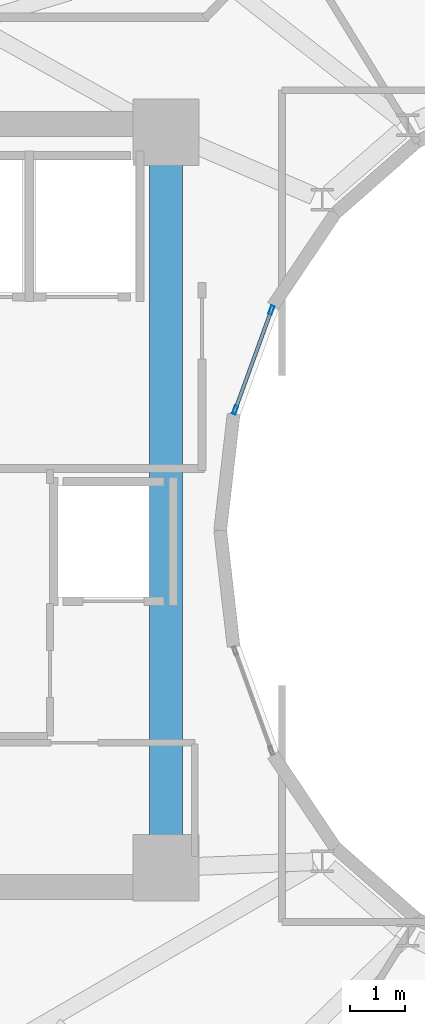
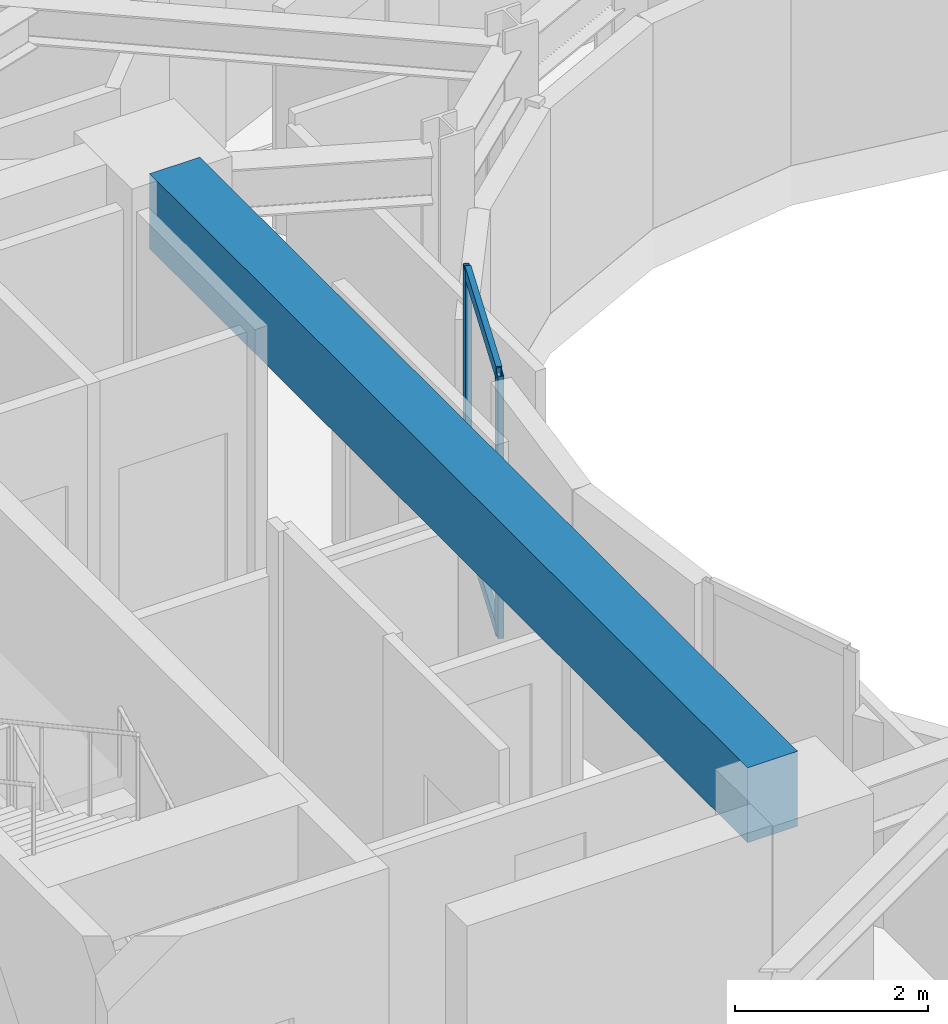
# One storey, part 7 of 25: 4 members, 1 beam, 1 element without a shape of its own.
"""IFC4 building model written with IfcOpenShell, lengths in metres."""

from ifc_helpers import new_model, si_unit, direction, frame, origin, origin_2d, place, context, subcontext, project, spatial, rectangle, hollow_rectangle, extrude, material, layer, layer_set, material_profile, profile_set, type_object, element, aggregate, save


model = new_model("IFC4")

# Units and contexts
model_context = context("Model", 3, precision=1e-05, world=origin(), true_north=direction((0.0, 1.0)))
body_context = subcontext(model_context, "Body", "Model", "MODEL_VIEW")
ifc_project = project(units=[si_unit("LENGTHUNIT", "METRE"), si_unit("AREAUNIT", "SQUARE_METRE"), si_unit("VOLUMEUNIT", "CUBIC_METRE"), si_unit("PLANEANGLEUNIT", "RADIAN"), si_unit("MASSUNIT", "GRAM", prefix="KILO")], contexts=[model_context])

# Site, building, storey
site_placement = place(None, origin())
site = spatial("IfcSite", under=ifc_project, at=site_placement, CompositionType="ELEMENT")
building_placement = place(site_placement, origin())
building = spatial("IfcBuilding", under=site, at=building_placement, Name="Solvane Sanctuary Tower", CompositionType="ELEMENT")
storey_placement = place(building_placement, frame((0.0, 0.0, 238.800048828125)))
storey = spatial("IfcBuildingStorey", under=building, at=storey_placement, Name="L73", CompositionType="ELEMENT", Elevation=238.800048828125)

# Beam
ifc_material_1 = material(Name="Concrete C70/85", Category="concrete")
ifc_material_profile_1 = material_profile(ifc_material_1, rectangle(XDim=0.60009765625, YDim=0.949951171875, at=origin_2d()), Name="RC600X950")
ifc_profile_set_1 = profile_set([ifc_material_profile_1], Name="Concrete C70/85")
beam_type = type_object("IfcBeamType", Name="Beam B-COUPLE RC600X950", PredefinedType="LINTEL", material=ifc_profile_set_1)
beam_placement = place(storey_placement, frame((23.89990234375, 17.35009765625, 3.125), z_axis=(0.0, 1.0, 0.0), x_axis=(-1.0, 0.0, 0.0)))
element("IfcBeam", 1, at=beam_placement, inside=storey, type_object=beam_type, Name="L73 West Core Coupling Lintel", PredefinedType="LINTEL", context=body_context, shape_type="SweptSolid", body=[
    extrude(rectangle(XDim=0.60009765625, YDim=0.949951171875, at=origin_2d()), origin(), (0.0, 0.0, 1.0), 12.39990234375),
])

# Curtain wall, members
ifc_material_2 = material(Name="Anodised Aluminium 6063-T6", Category="aluminium")
ifc_layer = layer(ifc_material_2, 0.199951171875, Name="Anodised Aluminium 6063-T6")
ifc_layer_set = layer_set([ifc_layer], Name="Anodised Aluminium 6063-T6")
curtain_wall_type = type_object("IfcCurtainWallType", Name="Curtain Wall CW-WELL", PredefinedType="NOTDEFINED", material=ifc_layer_set)
curtain_wall_placement = place(storey_placement, origin())
curtain_wall = element("IfcCurtainWall", 2, at=curtain_wall_placement, inside=storey, type_object=curtain_wall_type, Name="L73 Light-Well Glazed Curtain Wall 10", PredefinedType="NOTDEFINED")
ifc_material_profile_2 = material_profile(ifc_material_2, hollow_rectangle(XDim=0.06494140625, YDim=0.159912109375, WallThickness=0.00341796875, at=origin_2d()), Name="ALU160X65X3.5")
ifc_profile_set_2 = profile_set([ifc_material_profile_2], Name="Anodised Aluminium 6063-T6")
member_type_1 = type_object("IfcMemberType", Name="Member M-CW-MUL-2 ALU160X65X3.5", PredefinedType="MULLION", material=ifc_profile_set_2)
member_1_placement = place(storey_placement, frame((25.8056640625, 26.982421875, 0.0), z_axis=(0.0, 0.0, 1.0), x_axis=(0.939933181429, -0.341358483781, 0.0)))
member_1 = element("IfcMember", 3, at=member_1_placement, type_object=member_type_1, Name="CW-WELL mullion 1", PredefinedType="MULLION", context=body_context, shape_type="SweptSolid", body=[
    extrude(hollow_rectangle(XDim=0.06494140625, YDim=0.159912109375, WallThickness=0.00341796875, at=origin_2d()), origin(), (0.0, 0.0, 1.0), 3.320068359375),
])
member_2_placement = place(storey_placement, frame((25.15087890625, 25.17919921875, 0.0), z_axis=(0.0, 0.0, 1.0), x_axis=(0.939933181429, -0.341358483781, 0.0)))
member_2 = element("IfcMember", 4, at=member_2_placement, type_object=member_type_1, Name="CW-WELL mullion 2", PredefinedType="MULLION", context=body_context, shape_type="SweptSolid", body=[
    extrude(hollow_rectangle(XDim=0.06494140625, YDim=0.159912109375, WallThickness=0.00341796875, at=origin_2d()), origin(), (0.0, 0.0, 1.0), 3.320068359375),
])
ifc_material_profile_3 = material_profile(ifc_material_2, hollow_rectangle(XDim=0.06494140625, YDim=0.159912109375, WallThickness=0.00341796875, at=origin_2d()), Name="ALU160X65X3.5")
ifc_profile_set_3 = profile_set([ifc_material_profile_3], Name="Anodised Aluminium 6063-T6")
member_type_2 = type_object("IfcMemberType", Name="Member M-CW-TRN-1 ALU160X65X3.5", PredefinedType="USERDEFINED", material=ifc_profile_set_3)
member_3_placement = place(storey_placement, frame((25.794677734375, 26.951904296875, 0.032470703125), z_axis=(-0.341404620561, -0.939916424508, 0.0), x_axis=(0.939916424508, -0.341404620561, 0.0)))
member_3 = element("IfcMember", 5, at=member_3_placement, type_object=member_type_2, Name="CW-WELL transom 1.1", ObjectType="TRANSOM", PredefinedType="USERDEFINED", context=body_context, shape_type="SweptSolid", body=[
    extrude(hollow_rectangle(XDim=0.06494140625, YDim=0.159912109375, WallThickness=0.00341796875, at=origin_2d()), origin(), (0.0, 0.0, 1.0), 1.853515625),
])
member_4_placement = place(storey_placement, frame((25.794677734375, 26.951904296875, 3.287353515625), z_axis=(-0.341404620561, -0.939916424508, 0.0), x_axis=(0.939916424508, -0.341404620561, 0.0)))
member_4 = element("IfcMember", 6, at=member_4_placement, type_object=member_type_2, Name="CW-WELL transom 1.2", ObjectType="TRANSOM", PredefinedType="USERDEFINED", context=body_context, shape_type="SweptSolid", body=[
    extrude(hollow_rectangle(XDim=0.06494140625, YDim=0.159912109375, WallThickness=0.00341796875, at=origin_2d()), origin(), (0.0, 0.0, 1.0), 1.853515625),
])
aggregate(curtain_wall, [member_1, member_2, member_3, member_4])

save(model, "model.ifc")
